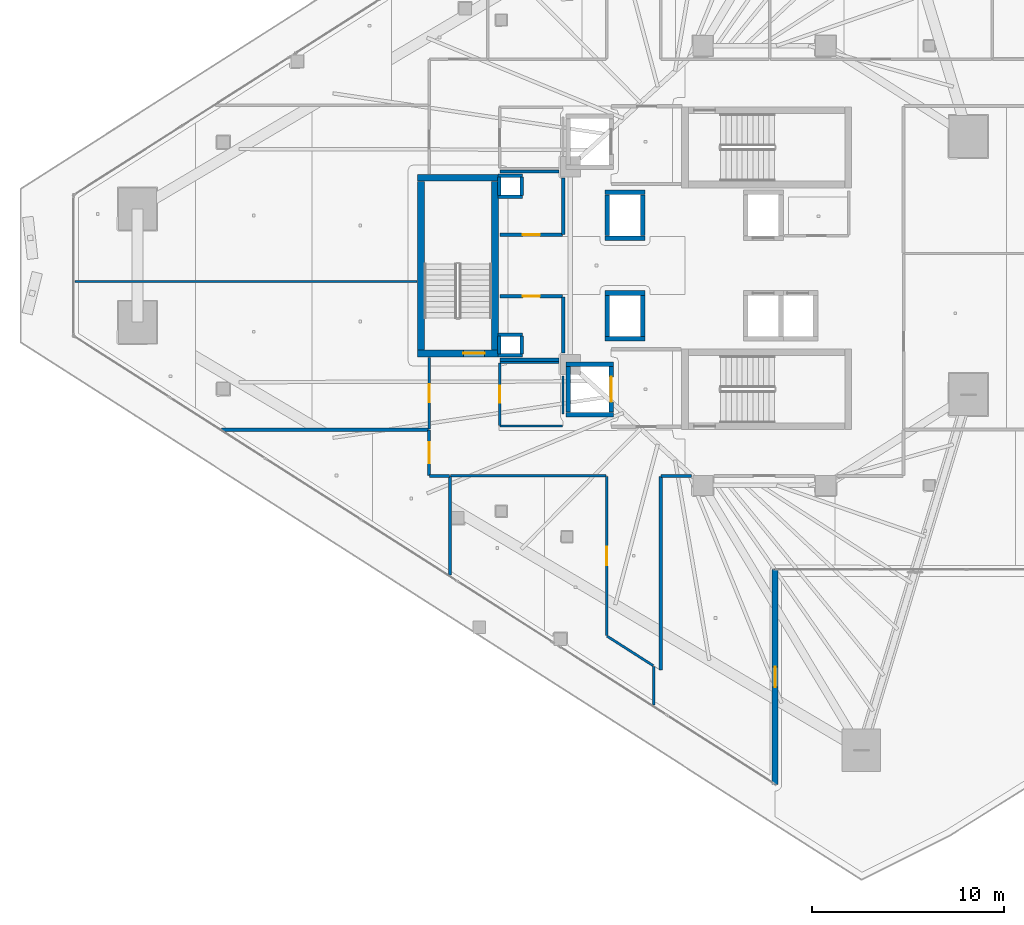
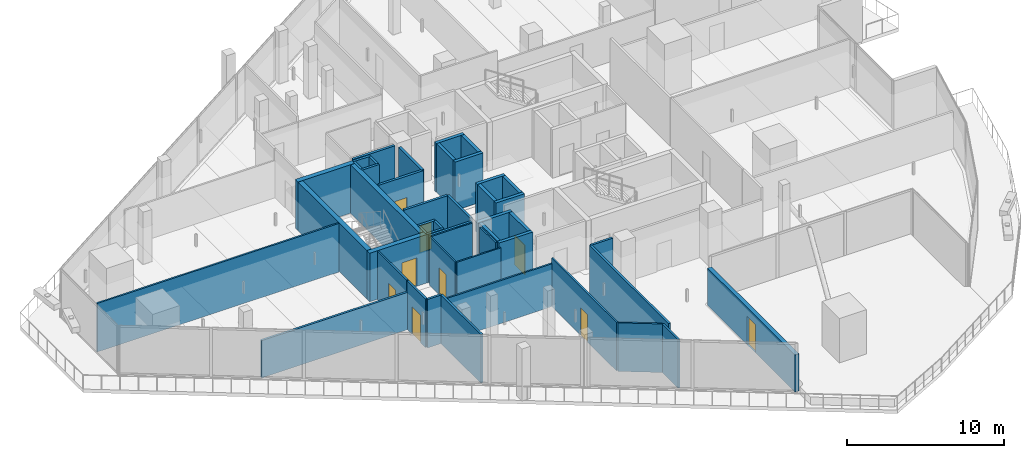
# One storey, part 26 of 38: 47 walls, 9 doors, 9 openings.
"""IFC4 building model written with IfcOpenShell, lengths in metres."""

from ifc_helpers import new_model, si_unit, direction, frame, frame_2d, origin, place, context, subcontext, project, spatial, rectangle, extrude, material, layer, layer_set, type_object, element, fill, save


model = new_model("IFC4")

# Units and contexts
model_context = context("Model", 3, precision=1e-05, world=origin(), true_north=direction((0.0, 1.0)))
body_context = subcontext(model_context, "Body", "Model", "MODEL_VIEW")
ifc_project = project(units=[si_unit("LENGTHUNIT", "METRE"), si_unit("AREAUNIT", "SQUARE_METRE"), si_unit("VOLUMEUNIT", "CUBIC_METRE"), si_unit("PLANEANGLEUNIT", "RADIAN"), si_unit("MASSUNIT", "GRAM", prefix="KILO")], contexts=[model_context])

# Site, building, storey
site_placement = place(None, origin())
site = spatial("IfcSite", under=ifc_project, at=site_placement, CompositionType="ELEMENT")
building_placement = place(site_placement, origin())
building = spatial("IfcBuilding", under=site, at=building_placement, Name="Qorvath Tower", CompositionType="ELEMENT")
storey_placement = place(building_placement, frame((0.0, 0.0, 158.39990234375)))
storey = spatial("IfcBuildingStorey", under=building, at=storey_placement, Name="L36", CompositionType="ELEMENT", Elevation=158.39990234375)

# Walls
ifc_material_1 = material(Name="Gypsum shaftliner on steel studs", Category="steel")
ifc_layer_1 = layer(ifc_material_1, 0.179931640625)
ifc_layer_set_1 = layer_set([ifc_layer_1], Name="FW-LOBBY")
wall_type_1 = type_object("IfcWallType", Name="FW-LOBBY", PredefinedType="PARTITIONING", material=ifc_layer_set_1)
for number, where, z_axis, x_axis, name in (
    (1, (-32.989990234375, 3.594970703125, 0.0), (0.0, 0.0, 1.0), (-1.0, 0.0, 0.0), "MEP Riser Shaft Enclosure Wall N-L36-S"),
    (2, (-34.260009765625, 4.675048828125, 0.0), (0.0, 0.0, 1.0), (1.0, 0.0, 0.0), "MEP Riser Shaft Enclosure Wall N-L36-N"),
):
    element("IfcWall", number, at=place(storey_placement, frame(where, z_axis=z_axis, x_axis=x_axis)), inside=storey, type_object=wall_type_1, Name=name, PredefinedType="PARTITIONING", context=body_context, shape_type="SweptSolid", body=[
        extrude(rectangle(XDim=1.27001953125, YDim=0.179931640625, at=frame_2d((0.635009765625, 0.0))), origin(), (0.0, 0.0, 1.0), 3.780029296875),
    ])
for number, where, z_axis, x_axis, name in (
    (3, (-34.205078125, 3.659912109375, 0.0), (0.0, 0.0, 1.0), (0.0, 1.0, 0.0), "MEP Riser Shaft Enclosure Wall N-L36-W"),
    (4, (-33.044921875, 4.610107421875, 0.0), (0.0, 0.0, 1.0), (0.0, -1.0, 0.0), "MEP Riser Shaft Enclosure Wall N-L36-E"),
):
    element("IfcWall", number, at=place(storey_placement, frame(where, z_axis=z_axis, x_axis=x_axis)), inside=storey, type_object=wall_type_1, Name=name, PredefinedType="PARTITIONING", context=body_context, shape_type="SweptSolid", body=[
        extrude(rectangle(XDim=0.9501953125, YDim=0.179931640625, at=frame_2d((0.47509765625, 0.0))), origin(), (0.0, 0.0, 1.0), 3.780029296875),
    ])
for number, where, z_axis, x_axis, name in (
    (5, (-32.989990234375, -4.675048828125, 0.0), (0.0, 0.0, 1.0), (-1.0, 0.0, 0.0), "MEP Riser Shaft Enclosure Wall S-L36-S"),
    (6, (-34.260009765625, -3.594970703125, 0.0), (0.0, 0.0, 1.0), (1.0, 0.0, 0.0), "MEP Riser Shaft Enclosure Wall S-L36-N"),
):
    element("IfcWall", number, at=place(storey_placement, frame(where, z_axis=z_axis, x_axis=x_axis)), inside=storey, type_object=wall_type_1, Name=name, PredefinedType="PARTITIONING", context=body_context, shape_type="SweptSolid", body=[
        extrude(rectangle(XDim=1.27001953125, YDim=0.179931640625, at=frame_2d((0.635009765625, 0.0))), origin(), (0.0, 0.0, 1.0), 3.780029296875),
    ])
for number, where, z_axis, x_axis, name in (
    (7, (-34.205078125, -4.610107421875, 0.0), (0.0, 0.0, 1.0), (0.0, 1.0, 0.0), "MEP Riser Shaft Enclosure Wall S-L36-W"),
    (8, (-33.044921875, -3.659912109375, 0.0), (0.0, 0.0, 1.0), (0.0, -1.0, 0.0), "MEP Riser Shaft Enclosure Wall S-L36-E"),
):
    element("IfcWall", number, at=place(storey_placement, frame(where, z_axis=z_axis, x_axis=x_axis)), inside=storey, type_object=wall_type_1, Name=name, PredefinedType="PARTITIONING", context=body_context, shape_type="SweptSolid", body=[
        extrude(rectangle(XDim=0.9501953125, YDim=0.179931640625, at=frame_2d((0.47509765625, 0.0))), origin(), (0.0, 0.0, 1.0), 3.780029296875),
    ])

# Wall, opening, door
wall_1_placement = place(storey_placement, frame((-34.15478515625, 1.60009765625, 0.0), z_axis=(0.0, 0.0, 1.0), x_axis=(1.0, 0.0, 0.0)))
wall_1 = element("IfcWall", 9, at=wall_1_placement, inside=storey, type_object=wall_type_1, Name="Interior Partition IW-T1-L36-015", PredefinedType="PARTITIONING", context=body_context, shape_type="SweptSolid", body=[
    extrude(rectangle(XDim=3.25, YDim=0.179931640625, at=frame_2d((1.625, 0.0))), origin(), (0.0, 0.0, 1.0), 3.780029296875),
])
opening_1_placement = place(wall_1_placement, frame((1.18505859375, 0.0, 0.0)))
opening_1 = element("IfcOpeningElement", 10, at=opening_1_placement, cuts=wall_1, Name="Opening D-T1-L36-04", PredefinedType="OPENING", context=body_context, shape_type="SweptSolid", body=[
    extrude(rectangle(XDim=0.8798828125, YDim=2.10009765625, at=frame_2d((0.43994140625, 1.050048828125))), frame((0.0, 0.10009765625, 0.0), z_axis=(0.0, -1.0, 0.0), x_axis=(1.0, 0.0, 0.0)), (0.0, 0.0, 1.0), 0.199951171875),
])
ifc_material_2 = material(Name="Painted galvanised hollow metal", Category="steel")
door_type_1 = type_object("IfcDoorType", Name="FD-60N", OperationType="NOTDEFINED", PredefinedType="DOOR", material=ifc_material_2)
door_1_placement = place(opening_1_placement, origin())
door_1 = element("IfcDoor", 11, at=door_1_placement, inside=storey, type_object=door_type_1, Name="Core cleaner and custodial room L36 Door D-T1-L36-04", OperationType="SINGLE_SWING_LEFT", OverallHeight=2.10009765625, OverallWidth=0.8798828125, PredefinedType="DOOR", context=body_context, shape_type="SweptSolid", body=[
    extrude(rectangle(XDim=0.8798828125, YDim=2.10009765625, at=frame_2d((0.43994140625, 1.050048828125))), frame((0.0, 0.02490234375, 0.0), z_axis=(0.0, -1.0, 0.0), x_axis=(1.0, 0.0, 0.0)), (0.0, 0.0, 1.0), 0.050048828125),
])
fill(opening_1, door_1)

# Walls
wall_2_placement = place(storey_placement, frame((-30.8798828125, 1.625, 0.0), z_axis=(0.0, 0.0, 1.0), x_axis=(0.0, 1.0, 0.0)))
element("IfcWall", 12, at=wall_2_placement, inside=storey, type_object=wall_type_1, Name="Interior Partition IW-T1-L36-016", PredefinedType="PARTITIONING", context=body_context, shape_type="SweptSolid", body=[
    extrude(rectangle(XDim=2.93505859375, YDim=0.179931640625, at=frame_2d((1.467529296875, 0.0))), origin(), (0.0, 0.0, 1.0), 3.780029296875),
])
for number, where, z_axis, x_axis, name in (
    (13, (-31.090087890625, 4.89990234375, 0.0), (0.0, 0.0, 1.0), (-1.0, 0.0, 0.0), "Interior Partition IW-T1-L36-017"),
    (14, (-34.15478515625, -4.89990234375, 0.0), (0.0, 0.0, 1.0), (1.0, 0.0, 0.0), "Interior Partition IW-T1-L36-018"),
):
    element("IfcWall", number, at=place(storey_placement, frame(where, z_axis=z_axis, x_axis=x_axis)), inside=storey, type_object=wall_type_1, Name=name, PredefinedType="PARTITIONING", context=body_context, shape_type="SweptSolid", body=[
        extrude(rectangle(XDim=3.064697265625, YDim=0.179931640625, at=frame_2d((1.5322265625, 0.0))), origin(), (0.0, 0.0, 1.0), 3.780029296875),
    ])
wall_3_placement = place(storey_placement, frame((-30.8798828125, -4.56005859375, 0.0), z_axis=(0.0, 0.0, 1.0), x_axis=(0.0, 1.0, 0.0)))
element("IfcWall", 15, at=wall_3_placement, inside=storey, type_object=wall_type_1, Name="Interior Partition IW-T1-L36-019", PredefinedType="PARTITIONING", context=body_context, shape_type="SweptSolid", body=[
    extrude(rectangle(XDim=2.93505859375, YDim=0.179931640625, at=frame_2d((1.467529296875, 0.0))), origin(), (0.0, 0.0, 1.0), 3.780029296875),
])

# Wall, opening, door
wall_4_placement = place(storey_placement, frame((-30.90478515625, -1.60009765625, 0.0), z_axis=(0.0, 0.0, 1.0), x_axis=(-1.0, 0.0, 0.0)))
wall_4 = element("IfcWall", 16, at=wall_4_placement, inside=storey, type_object=wall_type_1, Name="Interior Partition IW-T1-L36-020", PredefinedType="PARTITIONING", context=body_context, shape_type="SweptSolid", body=[
    extrude(rectangle(XDim=3.25, YDim=0.179931640625, at=frame_2d((1.625, 0.0))), origin(), (0.0, 0.0, 1.0), 3.780029296875),
])
opening_2_placement = place(wall_4_placement, frame((1.18505859375, 0.0, 0.0)))
opening_2 = element("IfcOpeningElement", 17, at=opening_2_placement, cuts=wall_4, Name="Opening D-T1-L36-05", PredefinedType="OPENING", context=body_context, shape_type="SweptSolid", body=[
    extrude(rectangle(XDim=0.8798828125, YDim=2.10009765625, at=frame_2d((0.43994140625, 1.050048828125))), frame((0.0, 0.10009765625, 0.0), z_axis=(0.0, -1.0, 0.0), x_axis=(1.0, 0.0, 0.0)), (0.0, 0.0, 1.0), 0.199951171875),
])
door_2_placement = place(opening_2_placement, origin())
door_2 = element("IfcDoor", 18, at=door_2_placement, inside=storey, type_object=door_type_1, Name="Core electrical room L36 Door D-T1-L36-05", OperationType="SINGLE_SWING_RIGHT", OverallHeight=2.10009765625, OverallWidth=0.8798828125, PredefinedType="DOOR", context=body_context, shape_type="SweptSolid", body=[
    extrude(rectangle(XDim=0.8798828125, YDim=2.10009765625, at=frame_2d((0.43994140625, 1.050048828125))), frame((0.0, 0.02490234375, 0.0), z_axis=(0.0, -1.0, 0.0), x_axis=(1.0, 0.0, 0.0)), (0.0, 0.0, 1.0), 0.050048828125),
])
fill(opening_2, door_2)

# Walls
ifc_material_3 = material(Name="Double acoustic gypsum board on steel studs", Category="steel")
ifc_layer_2 = layer(ifc_material_3, 0.159912109375)
ifc_layer_set_2 = layer_set([ifc_layer_2], Name="IW-ACOUSTIC-160")
wall_type_2 = type_object("IfcWallType", Name="IW-ACOUSTIC-160", PredefinedType="PARTITIONING", material=ifc_layer_set_2)
wall_5_placement = place(storey_placement, frame((-36.76806640625, -16.123046875, 0.0), z_axis=(0.0, 0.0, 1.0), x_axis=(0.0, 1.0, 0.0)))
element("IfcWall", 19, at=wall_5_placement, inside=storey, type_object=wall_type_2, Name="Interior Partition IW-T1-L36-034", PredefinedType="PARTITIONING", context=body_context, shape_type="SweptSolid", body=[
    extrude(rectangle(XDim=5.14013671875, YDim=0.159912109375, at=frame_2d((2.570068359375, 0.0))), origin(), (0.0, 0.0, 1.0), 3.780029296875),
])
wall_6_placement = place(storey_placement, frame((-36.793212890625, -10.9580078125, 0.0), z_axis=(0.0, 0.0, 1.0), x_axis=(-1.0, 0.0, 0.0)))
element("IfcWall", 20, at=wall_6_placement, inside=storey, type_object=wall_type_2, Name="Interior Partition IW-T1-L36-035", PredefinedType="PARTITIONING", context=body_context, shape_type="SweptSolid", body=[
    extrude(rectangle(XDim=1.039794921875, YDim=0.159912109375, at=frame_2d((0.52001953125, 0.0))), origin(), (0.0, 0.0, 1.0), 3.780029296875),
])

# Wall, opening, door
wall_7_placement = place(storey_placement, frame((-37.85791015625, -10.93310546875, 0.0), z_axis=(0.0, 0.0, 1.0), x_axis=(0.0, 1.0, 0.0)))
wall_7 = element("IfcWall", 21, at=wall_7_placement, inside=storey, type_object=wall_type_2, Name="Interior Partition IW-T1-L36-036", PredefinedType="PARTITIONING", context=body_context, shape_type="SweptSolid", body=[
    extrude(rectangle(XDim=2.358154296875, YDim=0.159912109375, at=frame_2d((1.17919921875, 0.0))), origin(), (0.0, 0.0, 1.0), 3.780029296875),
])
opening_3_placement = place(wall_7_placement, frame((0.629150390625, 0.0, 0.0)))
opening_3 = element("IfcOpeningElement", 22, at=opening_3_placement, cuts=wall_7, Name="Opening D-T1-L36-10", PredefinedType="OPENING", context=body_context, shape_type="SweptSolid", body=[
    extrude(rectangle(XDim=1.10009765625, YDim=2.14990234375, at=frame_2d((0.550048828125, 1.074951171875))), frame((0.0, 0.08984375, 0.0), z_axis=(0.0, -1.0, 0.0), x_axis=(1.0, 0.0, 0.0)), (0.0, 0.0, 1.0), 0.179931640625),
])
ifc_material_4 = material(Name="Anodised aluminium acoustic framed glass", Category="aluminium")
door_type_2 = type_object("IfcDoorType", Name="D-03", OperationType="NOTDEFINED", PredefinedType="DOOR", material=ifc_material_4)
door_3_placement = place(opening_3_placement, origin())
door_3 = element("IfcDoor", 23, at=door_3_placement, inside=storey, type_object=door_type_2, Name="L36-05 Digital Visualization Suite Door D-T1-L36-10", OperationType="SINGLE_SWING_LEFT", OverallHeight=2.14990234375, OverallWidth=1.10009765625, PredefinedType="DOOR", context=body_context, shape_type="SweptSolid", body=[
    extrude(rectangle(XDim=1.10009765625, YDim=2.14990234375, at=frame_2d((0.550048828125, 1.074951171875))), frame((0.0, 0.02490234375, 0.0), z_axis=(0.0, -1.0, 0.0), x_axis=(1.0, 0.0, 0.0)), (0.0, 0.0, 1.0), 0.050048828125),
])
fill(opening_3, door_3)

# Walls
wall_8_placement = place(storey_placement, frame((-37.8828125, -8.550048828125, 0.0), z_axis=(0.0, 0.0, 1.0), x_axis=(-1.0, 0.0, 0.0)))
element("IfcWall", 24, at=wall_8_placement, inside=storey, type_object=wall_type_2, Name="Interior Partition IW-T1-L36-037", PredefinedType="PARTITIONING", context=body_context, shape_type="SweptSolid", body=[
    extrude(rectangle(XDim=10.779296875, YDim=0.159912109375, at=frame_2d((5.3896484375, 0.0))), origin(), (0.0, 0.0, 1.0), 2.89990234375),
])
wall_9_placement = place(storey_placement, frame((-24.18994140625, -10.9580078125, 0.0), z_axis=(0.0, 0.0, 1.0), x_axis=(-1.0, 0.0, 0.0)))
element("IfcWall", 25, at=wall_9_placement, inside=storey, type_object=wall_type_2, Name="Interior Partition IW-T1-L36-046", PredefinedType="PARTITIONING", context=body_context, shape_type="SweptSolid", body=[
    extrude(rectangle(XDim=1.5771484375, YDim=0.159912109375, at=frame_2d((0.78857421875, 0.0))), origin(), (0.0, 0.0, 1.0), 3.780029296875),
])
wall_10_placement = place(storey_placement, frame((-25.7919921875, -10.98291015625, 0.0), z_axis=(0.0, 0.0, 1.0), x_axis=(0.0, -1.0, 0.0)))
element("IfcWall", 26, at=wall_10_placement, inside=storey, type_object=wall_type_2, Name="Interior Partition IW-T1-L36-047", PredefinedType="PARTITIONING", context=body_context, shape_type="SweptSolid", body=[
    extrude(rectangle(XDim=10.08349609375, YDim=0.159912109375, at=frame_2d((5.041748046875, 0.0))), origin(), (0.0, 0.0, 1.0), 3.780029296875),
])
ifc_material_5 = material(Name="Gypsum board on metal studs with mineral wool", Category="gypsum")
ifc_layer_3 = layer(ifc_material_5, 0.125)
ifc_layer_set_3 = layer_set([ifc_layer_3], Name="IW-PART-125")
wall_type_3 = type_object("IfcWallType", Name="IW-PART-125", PredefinedType="PARTITIONING", material=ifc_layer_set_3)
wall_11_placement = place(storey_placement, frame((-26.1611328125, -22.902099609375, 0.0), z_axis=(0.0, 0.0, 1.0), x_axis=(0.0, 1.0, 0.0)))
element("IfcWall", 27, at=wall_11_placement, inside=storey, type_object=wall_type_3, Name="Interior Partition IW-T1-L36-038", PredefinedType="PARTITIONING", context=body_context, shape_type="SweptSolid", body=[
    extrude(rectangle(XDim=2.021484375, YDim=0.125, at=frame_2d((1.0107421875, 0.0))), origin(), (0.0, 0.0, 1.0), 3.780029296875),
])
wall_12_placement = place(storey_placement, frame((-28.5869140625, -19.304931640625, 0.0), z_axis=(0.0, 0.0, 1.0), x_axis=(0.842581967006, -0.538568128352, 0.0)))
element("IfcWall", 28, at=wall_12_placement, inside=storey, type_object=wall_type_3, Name="Interior Partition IW-T1-L36-039", PredefinedType="PARTITIONING", context=body_context, shape_type="SweptSolid", body=[
    extrude(rectangle(XDim=2.85400390625, YDim=0.125, at=frame_2d((1.427001953125, 0.0))), origin(), (0.0, 0.0, 1.0), 3.780029296875),
])

# Wall, opening, door
wall_13_placement = place(storey_placement, frame((-28.60791015625, -19.2666015625, 0.0), z_axis=(0.0, 0.0, 1.0), x_axis=(0.0, 1.0, 0.0)))
wall_13 = element("IfcWall", 29, at=wall_13_placement, inside=storey, type_object=wall_type_3, Name="Interior Partition IW-T1-L36-040", PredefinedType="PARTITIONING", context=body_context, shape_type="SweptSolid", body=[
    extrude(rectangle(XDim=8.28369140625, YDim=0.125, at=frame_2d((4.141845703125, 0.0))), origin(), (0.0, 0.0, 1.0), 3.780029296875),
])
opening_4_placement = place(wall_13_placement, frame((3.666748046875, 0.0, 0.0)))
opening_4 = element("IfcOpeningElement", 30, at=opening_4_placement, cuts=wall_13, Name="Opening D-T1-L36-11", PredefinedType="OPENING", context=body_context, shape_type="SweptSolid", body=[
    extrude(rectangle(XDim=0.949951171875, YDim=2.14990234375, at=frame_2d((0.47509765625, 1.074951171875))), frame((0.0, 0.072509765625, 0.0), z_axis=(0.0, -1.0, 0.0), x_axis=(1.0, 0.0, 0.0)), (0.0, 0.0, 1.0), 0.14501953125),
])
ifc_material_6 = material(Name="Solid-core American white oak veneer", Category="wood")
door_type_3 = type_object("IfcDoorType", Name="D-01", OperationType="NOTDEFINED", PredefinedType="DOOR", material=ifc_material_6)
door_4_placement = place(opening_4_placement, origin())
door_4 = element("IfcDoor", 31, at=door_4_placement, inside=storey, type_object=door_type_3, Name="L36-06 Quantitative Research Studio Door D-T1-L36-11", OperationType="SINGLE_SWING_RIGHT", OverallHeight=2.14990234375, OverallWidth=0.949951171875, PredefinedType="DOOR", context=body_context, shape_type="SweptSolid", body=[
    extrude(rectangle(XDim=0.949951171875, YDim=2.14990234375, at=frame_2d((0.47509765625, 1.074951171875))), frame((0.0, 0.02490234375, 0.0), z_axis=(0.0, -1.0, 0.0), x_axis=(1.0, 0.0, 0.0)), (0.0, 0.0, 1.0), 0.050048828125),
])
fill(opening_4, door_4)

# Wall
wall_14_placement = place(storey_placement, frame((-28.6328125, -10.9580078125, 0.0), z_axis=(0.0, 0.0, 1.0), x_axis=(-1.0, 0.0, 0.0)))
element("IfcWall", 32, at=wall_14_placement, inside=storey, type_object=wall_type_3, Name="Interior Partition IW-T1-L36-041", PredefinedType="PARTITIONING", context=body_context, shape_type="SweptSolid", body=[
    extrude(rectangle(XDim=8.102294921875, YDim=0.125, at=frame_2d((4.05126953125, 0.0))), origin(), (0.0, 0.0, 1.0), 3.34375),
])

# Wall, opening, door
wall_15_placement = place(storey_placement, frame((-37.85791015625, -8.51708984375, 0.0), z_axis=(0.0, 0.0, 1.0), x_axis=(0.0, 1.0, 0.0)))
wall_15 = element("IfcWall", 33, at=wall_15_placement, inside=storey, type_object=wall_type_3, Name="Interior Partition IW-T1-L36-052", PredefinedType="PARTITIONING", context=body_context, shape_type="SweptSolid", body=[
    extrude(rectangle(XDim=3.73388671875, YDim=0.125, at=frame_2d((1.866943359375, 0.0))), origin(), (0.0, 0.0, 1.0), 3.780029296875),
])
opening_5_placement = place(wall_15_placement, frame((1.391845703125, 0.0, 0.0)))
opening_5 = element("IfcOpeningElement", 34, at=opening_5_placement, cuts=wall_15, Name="Opening D-T1-L36-15", PredefinedType="OPENING", context=body_context, shape_type="SweptSolid", body=[
    extrude(rectangle(XDim=0.949951171875, YDim=2.14990234375, at=frame_2d((0.47509765625, 1.074951171875))), frame((0.0, 0.072509765625, 0.0), z_axis=(0.0, -1.0, 0.0), x_axis=(1.0, 0.0, 0.0)), (0.0, 0.0, 1.0), 0.14501953125),
])
door_5_placement = place(opening_5_placement, origin())
door_5 = element("IfcDoor", 35, at=door_5_placement, inside=storey, type_object=door_type_3, Name="L36-10 Focus Collaboration Pod Door D-T1-L36-15", OperationType="SINGLE_SWING_RIGHT", OverallHeight=2.14990234375, OverallWidth=0.949951171875, PredefinedType="DOOR", context=body_context, shape_type="SweptSolid", body=[
    extrude(rectangle(XDim=0.949951171875, YDim=2.14990234375, at=frame_2d((0.47509765625, 1.074951171875))), frame((0.0, 0.02490234375, 0.0), z_axis=(0.0, -1.0, 0.0), x_axis=(1.0, 0.0, 0.0)), (0.0, 0.0, 1.0), 0.050048828125),
])
fill(opening_5, door_5)

# Walls
wall_16_placement = place(storey_placement, frame((-38.492919921875, -0.8291015625, 0.0), z_axis=(0.0, 0.0, 1.0), x_axis=(-1.0, 0.0, 0.0)))
element("IfcWall", 36, at=wall_16_placement, inside=storey, type_object=wall_type_3, Name="Interior Partition IW-T1-L36-053", PredefinedType="PARTITIONING", context=body_context, shape_type="SweptSolid", body=[
    extrude(rectangle(XDim=17.8095703125, YDim=0.125, at=frame_2d((8.90478515625, 0.0))), origin(), (0.0, 0.0, 1.0), 3.780029296875),
])
ifc_material_7 = material(Name="Moisture-resistant cement board on metal studs", Category="gypsum")
ifc_layer_4 = layer(ifc_material_7, 0.110107421875)
ifc_layer_set_4 = layer_set([ifc_layer_4], Name="IW-WC-110")
wall_type_4 = type_object("IfcWallType", Name="IW-WC-110", PredefinedType="PARTITIONING", material=ifc_layer_set_4)
wall_17_placement = place(storey_placement, frame((-34.15478515625, -8.35009765625, 0.0), z_axis=(0.0, 0.0, 1.0), x_axis=(1.0, 0.0, 0.0)))
element("IfcWall", 37, at=wall_17_placement, inside=storey, type_object=wall_type_4, Name="Interior Partition IW-T1-L36-009", PredefinedType="PARTITIONING", context=body_context, shape_type="SweptSolid", body=[
    extrude(rectangle(XDim=3.25, YDim=0.110107421875, at=frame_2d((1.625, 0.0))), origin(), (0.0, 0.0, 1.0), 3.780029296875),
])
wall_18_placement = place(storey_placement, frame((-30.8798828125, -7.742919921875, 0.0), z_axis=(0.0, 0.0, 1.0), x_axis=(0.0, 1.0, 0.0)))
element("IfcWall", 38, at=wall_18_placement, inside=storey, type_object=wall_type_4, Name="Interior Partition IW-T1-L36-010", PredefinedType="PARTITIONING", context=body_context, shape_type="SweptSolid", body=[
    extrude(rectangle(XDim=2.0029296875, YDim=0.110107421875, at=frame_2d((1.00146484375, 0.0))), origin(), (0.0, 0.0, 1.0), 3.780029296875),
])
wall_19_placement = place(storey_placement, frame((-31.090087890625, -5.050048828125, 0.0), z_axis=(0.0, 0.0, 1.0), x_axis=(-1.0, 0.0, 0.0)))
element("IfcWall", 39, at=wall_19_placement, inside=storey, type_object=wall_type_4, Name="Interior Partition IW-T1-L36-011", PredefinedType="PARTITIONING", context=body_context, shape_type="SweptSolid", body=[
    extrude(rectangle(XDim=3.064697265625, YDim=0.110107421875, at=frame_2d((1.5322265625, 0.0))), origin(), (0.0, 0.0, 1.0), 3.780029296875),
])

# Wall, opening, door
wall_20_placement = place(storey_placement, frame((-34.179931640625, -5.074951171875, 0.0), z_axis=(0.0, 0.0, 1.0), x_axis=(0.0, -1.0, 0.0)))
wall_20 = element("IfcWall", 40, at=wall_20_placement, inside=storey, type_object=wall_type_4, Name="Interior Partition IW-T1-L36-012", PredefinedType="PARTITIONING", context=body_context, shape_type="SweptSolid", body=[
    extrude(rectangle(XDim=3.250244140625, YDim=0.110107421875, at=frame_2d((1.625, 0.0))), origin(), (0.0, 0.0, 1.0), 3.780029296875),
])
opening_6_placement = place(wall_20_placement, frame((1.18505859375, 0.0, 0.0)))
opening_6 = element("IfcOpeningElement", 41, at=opening_6_placement, cuts=wall_20, Name="Opening D-T1-L36-02", PredefinedType="OPENING", context=body_context, shape_type="SweptSolid", body=[
    extrude(rectangle(XDim=0.8798828125, YDim=2.10009765625, at=frame_2d((0.43994140625, 1.050048828125))), frame((0.0, 0.06494140625, 0.0), z_axis=(0.0, -1.0, 0.0), x_axis=(1.0, 0.0, 0.0)), (0.0, 0.0, 1.0), 0.130126953125),
])
ifc_material_8 = material(Name="Solid-core oak with acoustic drop seal", Category="wood")
door_type_4 = type_object("IfcDoorType", Name="D-02", OperationType="NOTDEFINED", PredefinedType="DOOR", material=ifc_material_8)
door_6_placement = place(opening_6_placement, origin())
door_6 = element("IfcDoor", 42, at=door_6_placement, inside=storey, type_object=door_type_4, Name="Accessible WC South L36 Door D-T1-L36-02", OperationType="SINGLE_SWING_LEFT", OverallHeight=2.10009765625, OverallWidth=0.8798828125, PredefinedType="DOOR", context=body_context, shape_type="SweptSolid", body=[
    extrude(rectangle(XDim=0.8798828125, YDim=2.10009765625, at=frame_2d((0.43994140625, 1.050048828125))), frame((0.0, 0.02490234375, 0.0), z_axis=(0.0, -1.0, 0.0), x_axis=(1.0, 0.0, 0.0)), (0.0, 0.0, 1.0), 0.050048828125),
])
fill(opening_6, door_6)

# Walls
ifc_material_9 = material(Name="Concrete C60/75", Category="concrete")
ifc_layer_5 = layer(ifc_material_9, 0.260009765625)
ifc_layer_set_5 = layer_set([ifc_layer_5], Name="SW-SHAFT")
wall_type_5 = type_object("IfcWallType", Name="SW-SHAFT", PredefinedType="SHEAR", material=ifc_layer_set_5)
for number, where, z_axis, x_axis, name in (
    (43, (-28.260009765625, -7.77001953125, 0.0), (0.0, 0.0, 1.0), (-1.0, 0.0, 0.0), "Hoistway Wall FSAE-2 L36 S"),
    (44, (-30.739990234375, -5.1298828125, 0.0), (0.0, 0.0, 1.0), (1.0, 0.0, 0.0), "Hoistway Wall FSAE-2 L36 N"),
):
    element("IfcWall", number, at=place(storey_placement, frame(where, z_axis=z_axis, x_axis=x_axis)), inside=storey, type_object=wall_type_5, Name=name, PredefinedType="SHEAR", context=body_context, shape_type="SweptSolid", body=[
        extrude(rectangle(XDim=2.47998046875, YDim=0.239990234375, at=frame_2d((1.239990234375, 0.0))), origin(), (0.0, 0.0, 1.0), 3.780029296875),
    ])
wall_21_placement = place(storey_placement, frame((-30.6201171875, -7.637939453125, 0.0), z_axis=(0.0, 0.0, 1.0), x_axis=(0.0, 1.0, 0.0)))
element("IfcWall", 45, at=wall_21_placement, inside=storey, type_object=wall_type_5, Name="Hoistway Wall FSAE-2 L36 W", PredefinedType="SHEAR", context=body_context, shape_type="SweptSolid", body=[
    extrude(rectangle(XDim=2.3759765625, YDim=0.239990234375, at=frame_2d((1.18798828125, 0.0))), origin(), (0.0, 0.0, 1.0), 3.780029296875),
])

# Wall, opening, door
wall_22_placement = place(storey_placement, frame((-28.3798828125, -5.261962890625, 0.0), z_axis=(0.0, 0.0, 1.0), x_axis=(0.0, -1.0, 0.0)))
wall_22 = element("IfcWall", 46, at=wall_22_placement, inside=storey, type_object=wall_type_5, Name="Hoistway Wall FSAE-2 L36 E", PredefinedType="SHEAR", context=body_context, shape_type="SweptSolid", body=[
    extrude(rectangle(XDim=2.3759765625, YDim=0.239990234375, at=frame_2d((1.18798828125, 0.0))), origin(), (0.0, 0.0, 1.0), 3.780029296875),
])
opening_7_placement = place(wall_22_placement, frame((0.5380859375, 0.0, 0.0)))
opening_7 = element("IfcOpeningElement", 47, at=opening_7_placement, cuts=wall_22, Name="Opening LD-FSAE-2-L36", PredefinedType="OPENING", context=body_context, shape_type="SweptSolid", body=[
    extrude(rectangle(XDim=1.300048828125, YDim=2.300048828125, at=frame_2d((0.64990234375, 1.14990234375))), frame((0.0, 0.1298828125, 0.0), z_axis=(0.0, -1.0, 0.0), x_axis=(1.0, 0.0, 0.0)), (0.0, 0.0, 1.0), 0.260009765625),
])
ifc_material_10 = material(Name="Brushed stainless steel AISI 316", Category="steel")
door_type_5 = type_object("IfcDoorType", Name="LD-02", OperationType="NOTDEFINED", PredefinedType="DOOR", material=ifc_material_10)
door_7_placement = place(opening_7_placement, origin())
door_7 = element("IfcDoor", 48, at=door_7_placement, inside=storey, type_object=door_type_5, Name="Elevator Landing Sliding Door LD-FSAE-2-L36", OperationType="DOUBLE_DOOR_SLIDING", OverallHeight=2.300048828125, OverallWidth=1.300048828125, PredefinedType="DOOR", context=body_context, shape_type="SweptSolid", body=[
    extrude(rectangle(XDim=1.300048828125, YDim=2.300048828125, at=frame_2d((0.64990234375, 1.14990234375))), frame((0.0, 0.02490234375, 0.0), z_axis=(0.0, -1.0, 0.0), x_axis=(1.0, 0.0, 0.0)), (0.0, 0.0, 1.0), 0.050048828125),
])
fill(opening_7, door_7)

# Walls
for number, where, z_axis, x_axis, name in (
    (49, (-26.610107421875, 1.429931640625, 0.0), (0.0, 0.0, 1.0), (-1.0, 0.0, 0.0), "Hoistway Wall PS-1 L36 S"),
    (50, (-28.68994140625, 3.820068359375, 0.0), (0.0, 0.0, 1.0), (1.0, 0.0, 0.0), "Hoistway Wall PS-1 L36 N"),
):
    element("IfcWall", number, at=place(storey_placement, frame(where, z_axis=z_axis, x_axis=x_axis)), inside=storey, type_object=wall_type_5, Name=name, PredefinedType="SHEAR", context=body_context, shape_type="SweptSolid", body=[
        extrude(rectangle(XDim=2.079833984375, YDim=0.239990234375, at=frame_2d((1.0400390625, 0.0))), origin(), (0.0, 0.0, 1.0), 3.780029296875),
    ])
for number, where, z_axis, x_axis, name in (
    (51, (-28.570068359375, 1.56201171875, 0.0), (0.0, 0.0, 1.0), (0.0, 1.0, 0.0), "Hoistway Wall PS-1 L36 W"),
    (52, (-26.72998046875, 3.68798828125, 0.0), (0.0, 0.0, 1.0), (0.0, -1.0, 0.0), "Hoistway Wall PS-1 L36 E"),
):
    element("IfcWall", number, at=place(storey_placement, frame(where, z_axis=z_axis, x_axis=x_axis)), inside=storey, type_object=wall_type_5, Name=name, PredefinedType="SHEAR", context=body_context, shape_type="SweptSolid", body=[
        extrude(rectangle(XDim=2.1259765625, YDim=0.239990234375, at=frame_2d((1.06298828125, 0.0))), origin(), (0.0, 0.0, 1.0), 3.780029296875),
    ])
for number, where, z_axis, x_axis, name in (
    (53, (-26.610107421875, -3.820068359375, 0.0), (0.0, 0.0, 1.0), (-1.0, 0.0, 0.0), "Hoistway Wall PS-2 L36 S"),
    (54, (-28.68994140625, -1.429931640625, 0.0), (0.0, 0.0, 1.0), (1.0, 0.0, 0.0), "Hoistway Wall PS-2 L36 N"),
):
    element("IfcWall", number, at=place(storey_placement, frame(where, z_axis=z_axis, x_axis=x_axis)), inside=storey, type_object=wall_type_5, Name=name, PredefinedType="SHEAR", context=body_context, shape_type="SweptSolid", body=[
        extrude(rectangle(XDim=2.079833984375, YDim=0.239990234375, at=frame_2d((1.0400390625, 0.0))), origin(), (0.0, 0.0, 1.0), 3.780029296875),
    ])
for number, where, z_axis, x_axis, name in (
    (55, (-28.570068359375, -3.68798828125, 0.0), (0.0, 0.0, 1.0), (0.0, 1.0, 0.0), "Hoistway Wall PS-2 L36 W"),
    (56, (-26.72998046875, -1.56201171875, 0.0), (0.0, 0.0, 1.0), (0.0, -1.0, 0.0), "Hoistway Wall PS-2 L36 E"),
):
    element("IfcWall", number, at=place(storey_placement, frame(where, z_axis=z_axis, x_axis=x_axis)), inside=storey, type_object=wall_type_5, Name=name, PredefinedType="SHEAR", context=body_context, shape_type="SweptSolid", body=[
        extrude(rectangle(XDim=2.1259765625, YDim=0.239990234375, at=frame_2d((1.06298828125, 0.0))), origin(), (0.0, 0.0, 1.0), 3.780029296875),
    ])

# Wall, opening, door
ifc_material_11 = material(Name="Concrete C60/75", Category="concrete")
ifc_layer_6 = layer(ifc_material_11, 0.35009765625)
ifc_layer_set_6 = layer_set([ifc_layer_6], Name="SW-STAIR")
wall_type_6 = type_object("IfcWallType", Name="SW-STAIR", PredefinedType="SHEAR", material=ifc_layer_set_6)
wall_23_placement = place(storey_placement, frame((-38.4599609375, -4.574951171875, 0.0), z_axis=(0.0, 0.0, 1.0), x_axis=(1.0, 0.0, 0.0)))
wall_23 = element("IfcWall", 57, at=wall_23_placement, inside=storey, type_object=wall_type_6, Name="Stair TS3 Shear Wall L36 NEAR", PredefinedType="SHEAR", context=body_context, shape_type="SweptSolid", body=[
    extrude(rectangle(XDim=4.2099609375, YDim=0.35009765625, at=frame_2d((2.10498046875, 0.0))), origin(), (0.0, 0.0, 1.0), 3.780029296875),
])
opening_8_placement = place(wall_23_placement, frame((2.389892578125, 0.0, 0.0)))
opening_8 = element("IfcOpeningElement", 58, at=opening_8_placement, cuts=wall_23, Name="Opening D-TS3-L36", PredefinedType="OPENING", context=body_context, shape_type="SweptSolid", body=[
    extrude(rectangle(XDim=1.10009765625, YDim=2.199951171875, at=frame_2d((0.550048828125, 1.10009765625))), frame((0.0, 0.18505859375, 0.0), z_axis=(0.0, -1.0, 0.0), x_axis=(1.0, 0.0, 0.0)), (0.0, 0.0, 1.0), 0.3701171875),
])
ifc_material_12 = material(Name="Painted galvanised hollow metal", Category="steel")
door_type_6 = type_object("IfcDoorType", Name="FD-90", OperationType="NOTDEFINED", PredefinedType="DOOR", material=ifc_material_12)
door_8_placement = place(opening_8_placement, origin())
door_8 = element("IfcDoor", 59, at=door_8_placement, inside=storey, type_object=door_type_6, Name="Stair TS3 Fire Door L36", OperationType="SINGLE_SWING_LEFT", OverallHeight=2.199951171875, OverallWidth=1.10009765625, PredefinedType="DOOR", context=body_context, shape_type="SweptSolid", body=[
    extrude(rectangle(XDim=1.10009765625, YDim=2.199951171875, at=frame_2d((0.550048828125, 1.10009765625))), frame((0.0, 0.02490234375, 0.0), z_axis=(0.0, -1.0, 0.0), x_axis=(1.0, 0.0, 0.0)), (0.0, 0.0, 1.0), 0.050048828125),
])
fill(opening_8, door_8)

# Walls
wall_24_placement = place(storey_placement, frame((-34.25, 4.574951171875, 0.0), z_axis=(0.0, 0.0, 1.0), x_axis=(-1.0, 0.0, 0.0)))
element("IfcWall", 60, at=wall_24_placement, inside=storey, type_object=wall_type_6, Name="Stair TS3 Shear Wall L36 FAR", PredefinedType="SHEAR", context=body_context, shape_type="SweptSolid", body=[
    extrude(rectangle(XDim=4.2099609375, YDim=0.35009765625, at=frame_2d((2.10498046875, 0.0))), origin(), (0.0, 0.0, 1.0), 3.780029296875),
])
for number, where, z_axis, x_axis, name in (
    (61, (-34.425048828125, -4.385009765625, 0.0), (0.0, 0.0, 1.0), (0.0, 1.0, 0.0), "Stair TS3 Shear Wall L36 LEFT"),
    (62, (-38.284912109375, 4.385009765625, 0.0), (0.0, 0.0, 1.0), (0.0, -1.0, 0.0), "Stair TS3 Shear Wall L36 RIGHT"),
):
    element("IfcWall", number, at=place(storey_placement, frame(where, z_axis=z_axis, x_axis=x_axis)), inside=storey, type_object=wall_type_6, Name=name, PredefinedType="SHEAR", context=body_context, shape_type="SweptSolid", body=[
        extrude(rectangle(XDim=8.77001953125, YDim=0.35009765625, at=frame_2d((4.385009765625, 0.0))), origin(), (0.0, 0.0, 1.0), 3.780029296875),
    ])

# Wall, opening, door
ifc_material_13 = material(Name="Precast concrete C45/55", Category="concrete")
ifc_layer_7 = layer(ifc_material_13, 0.300048828125)
ifc_layer_set_7 = layer_set([ifc_layer_7], Name="WL-EW-LOG-300")
wall_type_7 = type_object("IfcWallType", Name="WL-EW-LOG-300", PredefinedType="SOLIDWALL", material=ifc_layer_set_7)
wall_25_placement = place(storey_placement, frame((-19.840087890625, -15.840087890625, 0.0), z_axis=(0.0, 0.0, 1.0), x_axis=(0.0, -1.0, 0.0)))
wall_25 = element("IfcWall", 63, at=wall_25_placement, inside=storey, type_object=wall_type_7, Name="Tower Precast Loggia Wall L36-1.1", PredefinedType="SOLIDWALL", context=body_context, shape_type="SweptSolid", body=[
    extrude(rectangle(XDim=11.18212890625, YDim=0.300048828125, at=frame_2d((5.591064453125, 0.0))), origin(), (0.0, 0.0, 1.0), 2.89501953125),
])
opening_9_placement = place(wall_25_placement, frame((5.066162109375, 0.0, 0.0)))
opening_9 = element("IfcOpeningElement", 64, at=opening_9_placement, cuts=wall_25, Name="Opening ED-L36-01", PredefinedType="OPENING", context=body_context, shape_type="SweptSolid", body=[
    extrude(rectangle(XDim=1.050048828125, YDim=2.199951171875, at=frame_2d((0.52490234375, 1.10009765625))), frame((0.0, 0.16015625, 0.0), z_axis=(0.0, -1.0, 0.0), x_axis=(1.0, 0.0, 0.0)), (0.0, 0.0, 1.0), 0.320068359375),
])
ifc_material_14 = material(Name="Thermally broken aluminium glazed door", Category="aluminium")
door_type_7 = type_object("IfcDoorType", Name="ED-LOG", OperationType="NOTDEFINED", PredefinedType="DOOR", material=ifc_material_14)
door_9_placement = place(opening_9_placement, origin())
door_9 = element("IfcDoor", 65, at=door_9_placement, inside=storey, type_object=door_type_7, Name="L36 Recessed Loggia Access Door 1", OperationType="SINGLE_SWING_RIGHT", OverallHeight=2.199951171875, OverallWidth=1.050048828125, PredefinedType="DOOR", context=body_context, shape_type="SweptSolid", body=[
    extrude(rectangle(XDim=1.050048828125, YDim=2.199951171875, at=frame_2d((0.52490234375, 1.10009765625))), frame((0.0, 0.02490234375, 0.0), z_axis=(0.0, -1.0, 0.0), x_axis=(1.0, 0.0, 0.0)), (0.0, 0.0, 1.0), 0.050048828125),
])
fill(opening_9, door_9)

save(model, "model.ifc")
